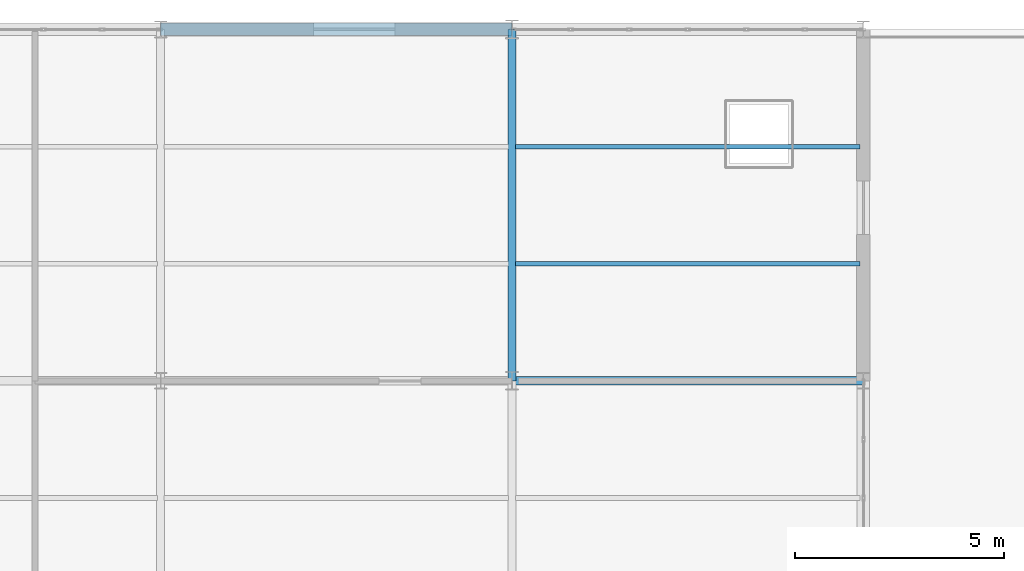
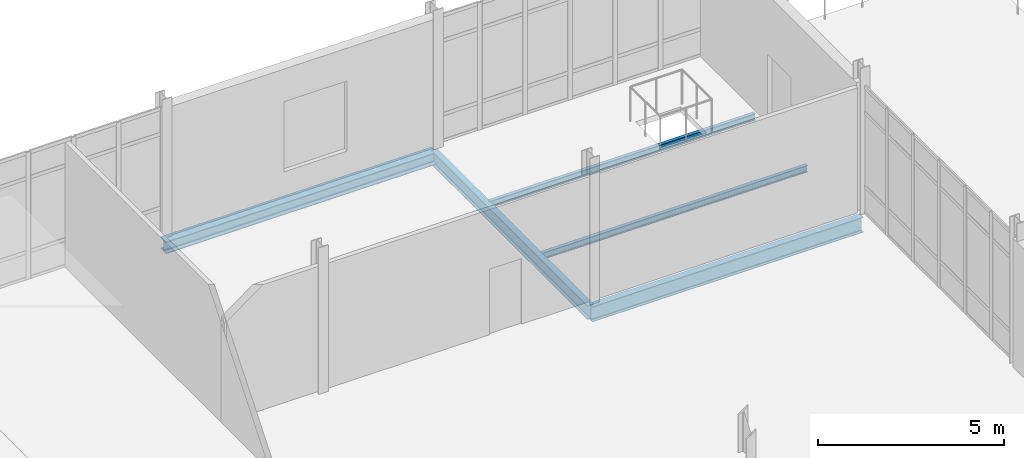
# One storey, part 19 of 28: 5 beams.
"""IFC4 building model written with IfcOpenShell, lengths in metres."""

from ifc_helpers import new_model, si_unit, direction, frame, origin, origin_2d, place, context, subcontext, project, spatial, i_section, extrude, material, material_profile, profile_set, type_object, element, save


model = new_model("IFC4")

# Units and contexts
model_context = context("Model", 3, precision=1e-05, world=origin(), true_north=direction((0.0, 1.0)))
body_context = subcontext(model_context, "Body", "Model", "MODEL_VIEW")
ifc_project = project(units=[si_unit("LENGTHUNIT", "METRE"), si_unit("AREAUNIT", "SQUARE_METRE"), si_unit("VOLUMEUNIT", "CUBIC_METRE"), si_unit("PLANEANGLEUNIT", "RADIAN"), si_unit("MASSUNIT", "GRAM", prefix="KILO")], contexts=[model_context])

# Site, building, storey
site_placement = place(None, origin())
site = spatial("IfcSite", under=ifc_project, at=site_placement, CompositionType="ELEMENT")
building_placement = place(site_placement, origin())
building = spatial("IfcBuilding", under=site, at=building_placement, Name="Qalvenar Corner Mobility Hub", CompositionType="ELEMENT")
storey_placement = place(building_placement, frame((0.0, 0.0, 21.60009765625)))
storey = spatial("IfcBuildingStorey", under=building, at=storey_placement, Name="L05", CompositionType="ELEMENT", Elevation=21.60009765625)

# Beams
ifc_material = material(Name="Steel S355", Category="steel")
ifc_material_profile_1 = material_profile(ifc_material, i_section(OverallWidth=0.18994140625, OverallDepth=0.449951171875, WebThickness=0.009521484375, FlangeThickness=0.0146484375, FilletRadius=0.02099609375, at=origin_2d()), Name="IPE450")
ifc_profile_set_1 = profile_set([ifc_material_profile_1], Name="Steel S355")
beam_type_1 = type_object("IfcBeamType", Name="BM-IPE450", PredefinedType="BEAM", material=ifc_profile_set_1)
beam_1_placement = place(storey_placement, frame((33.60009765625, 33.60009765625, -0.405029296875), z_axis=(0.0, 1.0, 0.0), x_axis=(-1.0, 0.0, 0.0)))
element("IfcBeam", 1, at=beam_1_placement, inside=storey, type_object=beam_type_1, Name="Primary Steel Girder GY-2999", PredefinedType="BEAM", context=body_context, shape_type="SweptSolid", body=[
    extrude(i_section(OverallWidth=0.18994140625, OverallDepth=0.449951171875, WebThickness=0.009521484375, FlangeThickness=0.0146484375, FilletRadius=0.02099609375, at=origin_2d()), origin(), (0.0, 0.0, 1.0), 8.39990234375),
])
ifc_material_profile_2 = material_profile(ifc_material, i_section(OverallWidth=0.199951171875, OverallDepth=0.5, WebThickness=0.01025390625, FlangeThickness=0.01611328125, FilletRadius=0.02099609375, at=origin_2d()), Name="IPE500")
ifc_profile_set_2 = profile_set([ifc_material_profile_2], Name="Steel S355")
beam_type_2 = type_object("IfcBeamType", Name="BM-IPE500", PredefinedType="BEAM", material=ifc_profile_set_2)
beam_2_placement = place(storey_placement, frame((33.60009765625, 33.60009765625, -0.43017578125), z_axis=(1.0, 0.0, 0.0), x_axis=(0.0, 1.0, 0.0)))
element("IfcBeam", 2, at=beam_2_placement, inside=storey, type_object=beam_type_2, Name="Primary Steel Girder GX-2969", PredefinedType="BEAM", context=body_context, shape_type="SweptSolid", body=[
    extrude(i_section(OverallWidth=0.199951171875, OverallDepth=0.5, WebThickness=0.01025390625, FlangeThickness=0.01611328125, FilletRadius=0.02099609375, at=origin_2d()), origin(), (0.0, 0.0, 1.0), 8.39990234375),
])
ifc_material_profile_3 = material_profile(ifc_material, i_section(OverallWidth=0.110107421875, OverallDepth=0.219970703125, WebThickness=0.005859375, FlangeThickness=0.00927734375, FilletRadius=0.011962890625, at=origin_2d()), Name="IPE220")
ifc_profile_set_3 = profile_set([ifc_material_profile_3], Name="Steel S355")
beam_type_3 = type_object("IfcBeamType", Name="BM-JST220", PredefinedType="JOIST", material=ifc_profile_set_3)
for number, where, z_axis, x_axis, name in (
    (3, (33.677978515625, 36.39990234375, -0.2900390625), (1.0, 0.0, 0.0), (0.0, 1.0, 0.0), "Composite Floor Joist J-3050"),
    (4, (33.677978515625, 39.199951171875, -0.2900390625), (1.0, 0.0, 0.0), (0.0, 1.0, 0.0), "Composite Floor Joist J-3051"),
):
    element("IfcBeam", number, at=place(storey_placement, frame(where, z_axis=z_axis, x_axis=x_axis)), inside=storey, type_object=beam_type_3, Name=name, PredefinedType="JOIST", context=body_context, shape_type="SweptSolid", body=[
        extrude(i_section(OverallWidth=0.110107421875, OverallDepth=0.219970703125, WebThickness=0.005859375, FlangeThickness=0.00927734375, FilletRadius=0.011962890625, at=origin_2d()), origin(), (0.0, 0.0, 1.0), 8.244140625),
    ])
ifc_material_profile_4 = material_profile(ifc_material, i_section(OverallWidth=0.300048828125, OverallDepth=0.389892578125, WebThickness=0.010986328125, FlangeThickness=0.01904296875, FilletRadius=0.027099609375, at=origin_2d()), Name="HEA400")
ifc_profile_set_4 = profile_set([ifc_material_profile_4], Name="Steel S355")
beam_type_4 = type_object("IfcBeamType", Name="BM-SPN400", PredefinedType="SPANDREL", material=ifc_profile_set_4)
beam_3_placement = place(storey_placement, frame((25.199951171875, 42.0, -0.375), z_axis=(1.0, 0.0, 0.0), x_axis=(0.0, 1.0, 0.0)))
element("IfcBeam", 5, at=beam_3_placement, inside=storey, type_object=beam_type_4, Name="Primary Steel Girder GX-2973", PredefinedType="SPANDREL", context=body_context, shape_type="SweptSolid", body=[
    extrude(i_section(OverallWidth=0.300048828125, OverallDepth=0.389892578125, WebThickness=0.010986328125, FlangeThickness=0.01904296875, FilletRadius=0.027099609375, at=origin_2d()), origin(), (0.0, 0.0, 1.0), 8.400146484375),
])

save(model, "model.ifc")
